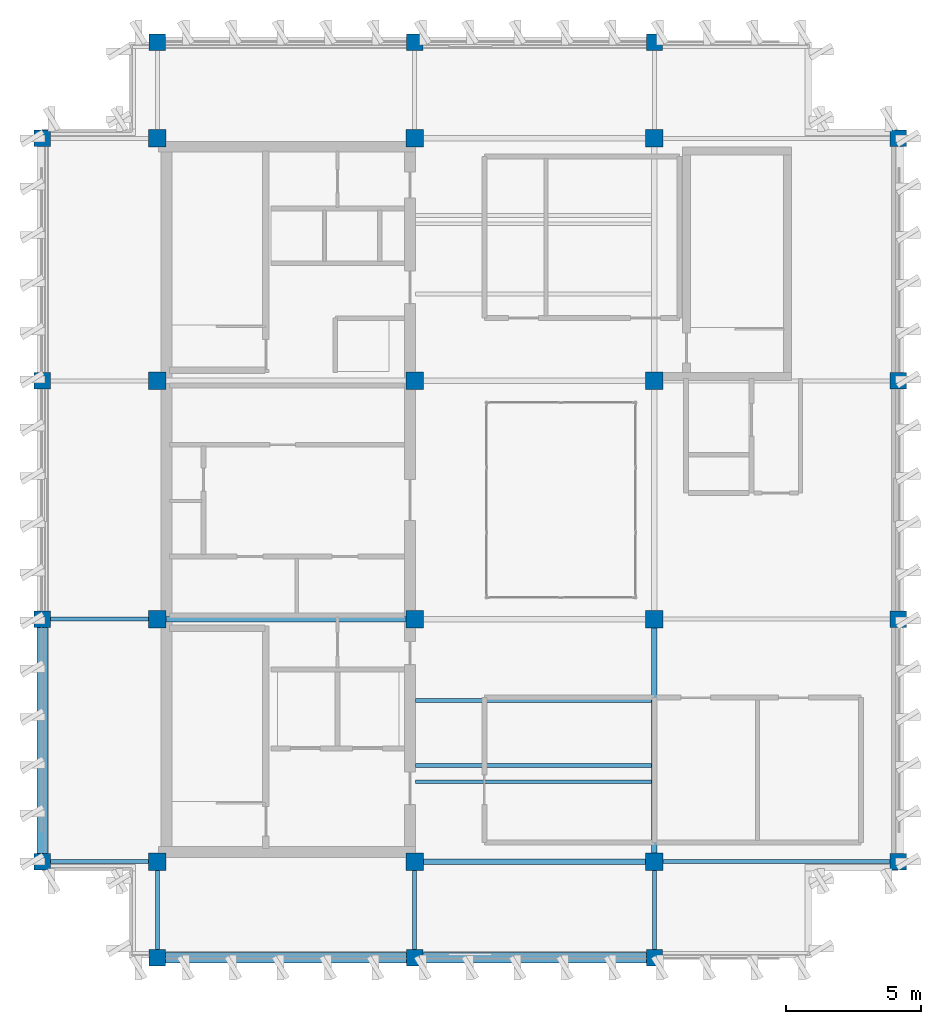
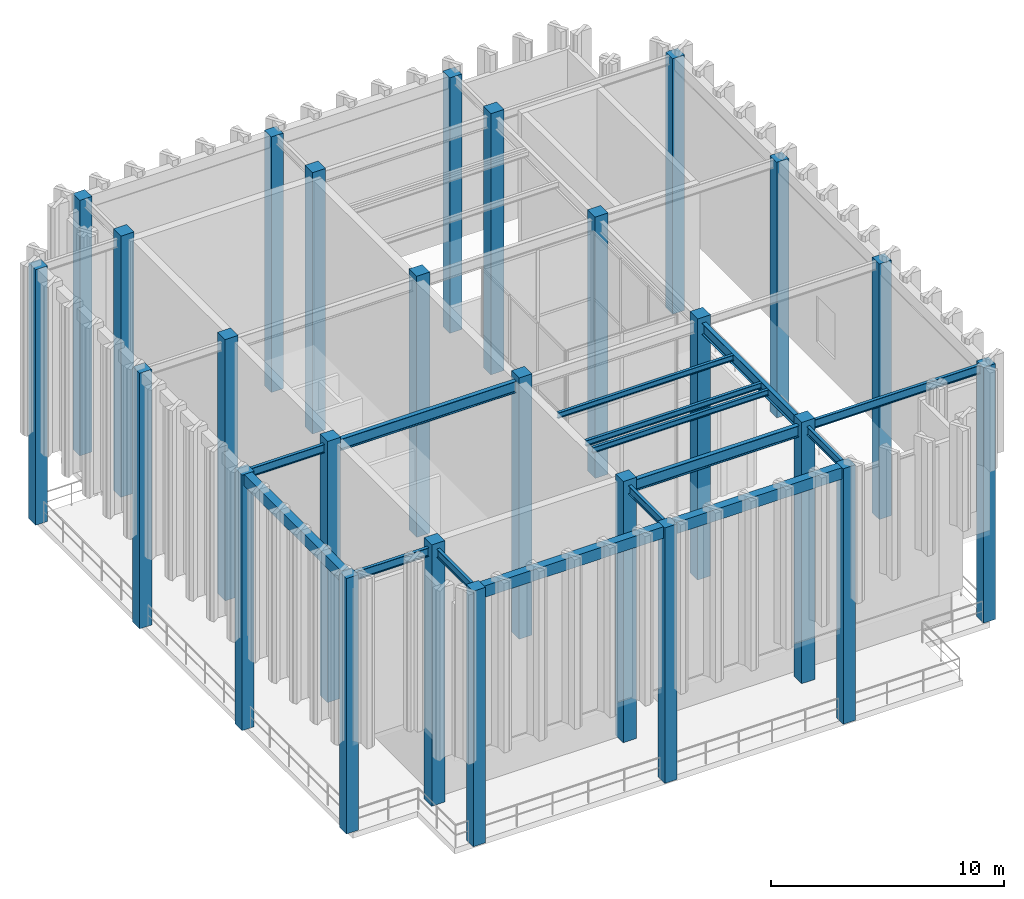
# One storey, part 1 of 15: 26 columns, 15 beams.
"""IFC4 building model written with IfcOpenShell, lengths in metres."""

from ifc_helpers import new_model, si_unit, direction, frame, origin, origin_2d, place, context, subcontext, project, spatial, rectangle, i_section, extrude, material, material_profile, profile_set, type_object, element, save


model = new_model("IFC4")

# Units and contexts
model_context = context("Model", 3, precision=1e-05, world=origin(), true_north=direction((0.0, 1.0)))
body_context = subcontext(model_context, "Body", "Model", "MODEL_VIEW")
ifc_project = project(units=[si_unit("LENGTHUNIT", "METRE"), si_unit("AREAUNIT", "SQUARE_METRE"), si_unit("VOLUMEUNIT", "CUBIC_METRE"), si_unit("PLANEANGLEUNIT", "RADIAN"), si_unit("MASSUNIT", "GRAM", prefix="KILO")], contexts=[model_context])

# Site, building, storey
site_placement = place(None, origin())
site = spatial("IfcSite", under=ifc_project, at=site_placement, CompositionType="ELEMENT")
building_placement = place(site_placement, origin())
building = spatial("IfcBuilding", under=site, at=building_placement, Name="Kundavana Baori Tower", CompositionType="ELEMENT")
storey_placement = place(building_placement, frame((0.0, 0.0, 354.699951171875)))
storey = spatial("IfcBuildingStorey", under=building, at=storey_placement, Name="L88", CompositionType="ELEMENT", Elevation=354.699951171875)

# Columns
ifc_material_1 = material(Name="Concrete C50/60", Category="concrete")
ifc_material_profile_1 = material_profile(ifc_material_1, rectangle(XDim=0.60009765625, YDim=0.60009765625, at=origin_2d()), Name="RC PF 600x600")
ifc_profile_set_1 = profile_set([ifc_material_profile_1], Name="Concrete C50/60")
column_type_1 = type_object("IfcColumnType", Name="COL-PF-600", PredefinedType="COLUMN", material=ifc_profile_set_1)
for number, where, z_axis, x_axis, name in (
    (1, (15.449951171875, 11.699951171875, 0.0), (0.0, 0.0, 1.0), (1.0, 0.0, 0.0), "L88 Stone-Clad Perimeter Frame Column PF-S1"),
    (2, (15.449951171875, 45.5, 0.0), (0.0, 0.0, 1.0), (1.0, 0.0, 0.0), "L88 Stone-Clad Perimeter Frame Column PF-N1"),
    (3, (24.949951171875, 11.699951171875, 0.0), (0.0, 0.0, 1.0), (1.0, 0.0, 0.0), "L88 Stone-Clad Perimeter Frame Column PF-S2"),
    (4, (24.949951171875, 45.5, 0.0), (0.0, 0.0, 1.0), (1.0, 0.0, 0.0), "L88 Stone-Clad Perimeter Frame Column PF-N2"),
    (5, (33.800048828125, 11.699951171875, 0.0), (0.0, 0.0, 1.0), (1.0, 0.0, 0.0), "L88 Stone-Clad Perimeter Frame Column PF-S3"),
    (6, (33.800048828125, 45.5, 0.0), (0.0, 0.0, 1.0), (1.0, 0.0, 0.0), "L88 Stone-Clad Perimeter Frame Column PF-N3"),
    (7, (11.199951171875, 15.25, 0.0), (0.0, 0.0, 1.0), (1.0, 0.0, 0.0), "L88 Stone-Clad Perimeter Frame Column PF-W1"),
    (8, (42.800048828125, 15.25, 0.0), (0.0, 0.0, 1.0), (1.0, 0.0, 0.0), "L88 Stone-Clad Perimeter Frame Column PF-E1"),
    (9, (11.199951171875, 24.199951171875, 0.0), (0.0, 0.0, 1.0), (1.0, 0.0, 0.0), "L88 Stone-Clad Perimeter Frame Column PF-W2"),
    (10, (42.800048828125, 24.199951171875, 0.0), (0.0, 0.0, 1.0), (1.0, 0.0, 0.0), "L88 Stone-Clad Perimeter Frame Column PF-E2"),
    (11, (11.199951171875, 33.0, 0.0), (0.0, 0.0, 1.0), (1.0, 0.0, 0.0), "L88 Stone-Clad Perimeter Frame Column PF-W3"),
    (12, (42.800048828125, 33.0, 0.0), (0.0, 0.0, 1.0), (1.0, 0.0, 0.0), "L88 Stone-Clad Perimeter Frame Column PF-E3"),
    (13, (11.199951171875, 41.949951171875, 0.0), (0.0, 0.0, 1.0), (1.0, 0.0, 0.0), "L88 Stone-Clad Perimeter Frame Column PF-W4"),
    (14, (42.800048828125, 41.949951171875, 0.0), (0.0, 0.0, 1.0), (1.0, 0.0, 0.0), "L88 Stone-Clad Perimeter Frame Column PF-E4"),
):
    element("IfcColumn", number, at=place(storey_placement, frame(where, z_axis=z_axis, x_axis=x_axis)), inside=storey, type_object=column_type_1, Name=name, PredefinedType="COLUMN", context=body_context, shape_type="SweptSolid", body=[
        extrude(rectangle(XDim=0.60009765625, YDim=0.60009765625, at=origin_2d()), origin(), (0.0, 0.0, 1.0), 13.400146484375),
    ])
ifc_material_2 = material(Name="Concrete C50/60", Category="concrete")
ifc_material_profile_2 = material_profile(ifc_material_2, rectangle(XDim=0.64990234375, YDim=0.64990234375, at=origin_2d()), Name="RC 650x650")
ifc_profile_set_2 = profile_set([ifc_material_profile_2], Name="Concrete C50/60")
column_type_2 = type_object("IfcColumnType", Name="COL-RC-650", PredefinedType="COLUMN", material=ifc_profile_set_2)
for number, where, z_axis, x_axis, name in (
    (15, (15.449951171875, 15.25, 0.0), (0.0, 0.0, 1.0), (1.0, 0.0, 0.0), "L88 Interior Column IC-3C"),
    (16, (15.449951171875, 24.199951171875, 0.0), (0.0, 0.0, 1.0), (1.0, 0.0, 0.0), "L88 Interior Column IC-3D"),
    (17, (15.449951171875, 33.0, 0.0), (0.0, 0.0, 1.0), (1.0, 0.0, 0.0), "L88 Interior Column IC-3E"),
    (18, (15.449951171875, 41.949951171875, 0.0), (0.0, 0.0, 1.0), (1.0, 0.0, 0.0), "L88 Interior Column IC-3F"),
    (19, (24.949951171875, 15.25, 0.0), (0.0, 0.0, 1.0), (1.0, 0.0, 0.0), "L88 Interior Column IC-4C"),
    (20, (24.949951171875, 24.199951171875, 0.0), (0.0, 0.0, 1.0), (1.0, 0.0, 0.0), "L88 Interior Column IC-4D"),
    (21, (24.949951171875, 33.0, 0.0), (0.0, 0.0, 1.0), (1.0, 0.0, 0.0), "L88 Interior Column IC-4E"),
    (22, (24.949951171875, 41.949951171875, 0.0), (0.0, 0.0, 1.0), (1.0, 0.0, 0.0), "L88 Interior Column IC-4F"),
    (23, (33.800048828125, 15.25, 0.0), (0.0, 0.0, 1.0), (1.0, 0.0, 0.0), "L88 Interior Column IC-5C"),
    (24, (33.800048828125, 24.199951171875, 0.0), (0.0, 0.0, 1.0), (1.0, 0.0, 0.0), "L88 Interior Column IC-5D"),
    (25, (33.800048828125, 33.0, 0.0), (0.0, 0.0, 1.0), (1.0, 0.0, 0.0), "L88 Interior Column IC-5E"),
    (26, (33.800048828125, 41.949951171875, 0.0), (0.0, 0.0, 1.0), (1.0, 0.0, 0.0), "L88 Interior Column IC-5F"),
):
    element("IfcColumn", number, at=place(storey_placement, frame(where, z_axis=z_axis, x_axis=x_axis)), inside=storey, type_object=column_type_2, Name=name, PredefinedType="COLUMN", context=body_context, shape_type="SweptSolid", body=[
        extrude(rectangle(XDim=0.64990234375, YDim=0.64990234375, at=origin_2d()), origin(), (0.0, 0.0, 1.0), 13.699951171875),
    ])

# Beams
ifc_material_3 = material(Name="Concrete C50/60", Category="concrete")
ifc_material_profile_3 = material_profile(ifc_material_3, rectangle(XDim=0.39990234375, YDim=0.60009765625, at=origin_2d()), Name="RC BM 400x600")
ifc_profile_set_3 = profile_set([ifc_material_profile_3], Name="Concrete C50/60")
beam_type_1 = type_object("IfcBeamType", Name="BM-PF-600", PredefinedType="SPANDREL", material=ifc_profile_set_3)
beam_1_placement = place(storey_placement, frame((15.449951171875, 11.699951171875, 13.10009765625), z_axis=(1.0, 0.0, 0.0), x_axis=(0.0, 1.0, 0.0)))
element("IfcBeam", 27, at=beam_1_placement, inside=storey, type_object=beam_type_1, Name="L88 Perimeter Frame Ring Beam S1", PredefinedType="SPANDREL", context=body_context, shape_type="SweptSolid", body=[
    extrude(rectangle(XDim=0.39990234375, YDim=0.60009765625, at=origin_2d()), origin(), (0.0, 0.0, 1.0), 9.5),
])
beam_2_placement = place(storey_placement, frame((24.949951171875, 11.699951171875, 13.10009765625), z_axis=(1.0, 0.0, 0.0), x_axis=(0.0, 1.0, 0.0)))
element("IfcBeam", 28, at=beam_2_placement, inside=storey, type_object=beam_type_1, Name="L88 Perimeter Frame Ring Beam S2", PredefinedType="SPANDREL", context=body_context, shape_type="SweptSolid", body=[
    extrude(rectangle(XDim=0.39990234375, YDim=0.60009765625, at=origin_2d()), origin(), (0.0, 0.0, 1.0), 8.85009765625),
])
beam_3_placement = place(storey_placement, frame((11.199951171875, 15.25, 13.10009765625), z_axis=(0.0, 1.0, 0.0), x_axis=(-1.0, 0.0, 0.0)))
element("IfcBeam", 29, at=beam_3_placement, inside=storey, type_object=beam_type_1, Name="L88 Perimeter Frame Ring Beam W1", PredefinedType="SPANDREL", context=body_context, shape_type="SweptSolid", body=[
    extrude(rectangle(XDim=0.39990234375, YDim=0.60009765625, at=origin_2d()), origin(), (0.0, 0.0, 1.0), 8.949951171875),
])
ifc_material_4 = material(Name="Structural Steel S355JR", Category="steel")
ifc_material_profile_4 = material_profile(ifc_material_4, i_section(OverallWidth=0.139892578125, OverallDepth=0.300048828125, WebThickness=0.0078125, FlangeThickness=0.01318359375, FilletRadius=0.013916015625, at=origin_2d()), Name="ISMB 300")
ifc_profile_set_4 = profile_set([ifc_material_profile_4], Name="Structural Steel S355JR")
beam_type_2 = type_object("IfcBeamType", Name="BM-RF-300", PredefinedType="BEAM", material=ifc_profile_set_4)
for number, where, z_axis, x_axis, name in (
    (30, (24.97998046875, 18.199951171875, 13.25), (1.0, 0.0, 0.0), (0.0, 1.0, 0.0), "L88 Central Bay Composite Floor Joist C1"),
    (31, (24.97998046875, 21.199951171875, 13.25), (1.0, 0.0, 0.0), (0.0, 1.0, 0.0), "L88 Central Bay Composite Floor Joist C2"),
    (32, (24.97998046875, 18.800048828125, 13.25), (1.0, 0.0, 0.0), (0.0, 1.0, 0.0), "L88 Crown Plant Secondary Beam 1"),
):
    element("IfcBeam", number, at=place(storey_placement, frame(where, z_axis=z_axis, x_axis=x_axis)), inside=storey, type_object=beam_type_2, Name=name, PredefinedType="BEAM", context=body_context, shape_type="SweptSolid", body=[
        extrude(i_section(OverallWidth=0.139892578125, OverallDepth=0.300048828125, WebThickness=0.0078125, FlangeThickness=0.01318359375, FilletRadius=0.013916015625, at=origin_2d()), origin(), (0.0, 0.0, 1.0), 8.715087890625),
    ])
ifc_material_5 = material(Name="Structural Steel S355JR", Category="steel")
ifc_material_profile_5 = material_profile(ifc_material_5, i_section(OverallWidth=0.2099609375, OverallDepth=0.60009765625, WebThickness=0.011962890625, FlangeThickness=0.020751953125, FilletRadius=0.02001953125, at=origin_2d()), Name="ISMB 600")
ifc_profile_set_5 = profile_set([ifc_material_profile_5], Name="Structural Steel S355JR")
beam_type_3 = type_object("IfcBeamType", Name="BM-ST-600", PredefinedType="BEAM", material=ifc_profile_set_5)
beam_4_placement = place(storey_placement, frame((24.949951171875, 15.25, 13.10009765625), z_axis=(1.0, 0.0, 0.0), x_axis=(0.0, 1.0, 0.0)))
element("IfcBeam", 33, at=beam_4_placement, inside=storey, type_object=beam_type_3, Name="L88 Primary Grid Girder GX-1-2", PredefinedType="BEAM", context=body_context, shape_type="SweptSolid", body=[
    extrude(i_section(OverallWidth=0.2099609375, OverallDepth=0.60009765625, WebThickness=0.011962890625, FlangeThickness=0.020751953125, FilletRadius=0.02001953125, at=origin_2d()), origin(), (0.0, 0.0, 1.0), 8.85009765625),
])
beam_5_placement = place(storey_placement, frame((15.449951171875, 24.199951171875, 13.10009765625), z_axis=(1.0, 0.0, 0.0), x_axis=(0.0, 1.0, 0.0)))
element("IfcBeam", 34, at=beam_5_placement, inside=storey, type_object=beam_type_3, Name="L88 Primary Grid Girder GX-2-1", PredefinedType="BEAM", context=body_context, shape_type="SweptSolid", body=[
    extrude(i_section(OverallWidth=0.2099609375, OverallDepth=0.60009765625, WebThickness=0.011962890625, FlangeThickness=0.020751953125, FilletRadius=0.02001953125, at=origin_2d()), origin(), (0.0, 0.0, 1.0), 9.5),
])
beam_6_placement = place(storey_placement, frame((33.800048828125, 15.25, 13.10009765625), z_axis=(0.0, 1.0, 0.0), x_axis=(-1.0, 0.0, 0.0)))
element("IfcBeam", 35, at=beam_6_placement, inside=storey, type_object=beam_type_3, Name="L88 Primary Grid Girder GY-3-1", PredefinedType="BEAM", context=body_context, shape_type="SweptSolid", body=[
    extrude(i_section(OverallWidth=0.2099609375, OverallDepth=0.60009765625, WebThickness=0.011962890625, FlangeThickness=0.020751953125, FilletRadius=0.02001953125, at=origin_2d()), origin(), (0.0, 0.0, 1.0), 8.949951171875),
])
ifc_material_6 = material(Name="Structural Steel S355JR", Category="steel")
ifc_material_profile_6 = material_profile(ifc_material_6, i_section(OverallWidth=0.14990234375, OverallDepth=0.449951171875, WebThickness=0.009521484375, FlangeThickness=0.017333984375, FilletRadius=0.014892578125, at=origin_2d()), Name="ISMB 450")
ifc_profile_set_6 = profile_set([ifc_material_profile_6], Name="Structural Steel S355JR")
beam_type_4 = type_object("IfcBeamType", Name="BM-TIE-450", PredefinedType="BEAM", material=ifc_profile_set_6)
for number, where, z_axis, x_axis, name in (
    (36, (15.449951171875, 15.25, 13.175048828125), (0.0, -1.0, 0.0), (1.0, 0.0, 0.0), "L88 South Radial Loggia Tie Beam S1"),
    (37, (24.949951171875, 15.25, 13.175048828125), (0.0, -1.0, 0.0), (1.0, 0.0, 0.0), "L88 South Radial Loggia Tie Beam S2"),
    (38, (33.800048828125, 15.25, 13.175048828125), (0.0, -1.0, 0.0), (1.0, 0.0, 0.0), "L88 South Radial Loggia Tie Beam S3"),
):
    element("IfcBeam", number, at=place(storey_placement, frame(where, z_axis=z_axis, x_axis=x_axis)), inside=storey, type_object=beam_type_4, Name=name, PredefinedType="BEAM", context=body_context, shape_type="SweptSolid", body=[
        extrude(i_section(OverallWidth=0.14990234375, OverallDepth=0.449951171875, WebThickness=0.009521484375, FlangeThickness=0.017333984375, FilletRadius=0.014892578125, at=origin_2d()), origin(), (0.0, 0.0, 1.0), 3.550048828125),
    ])
beam_7_placement = place(storey_placement, frame((15.449951171875, 15.25, 13.175048828125), z_axis=(-1.0, 0.0, 0.0), x_axis=(0.0, -1.0, 0.0)))
element("IfcBeam", 39, at=beam_7_placement, inside=storey, type_object=beam_type_4, Name="L88 West Radial Loggia Tie Beam W1", PredefinedType="BEAM", context=body_context, shape_type="SweptSolid", body=[
    extrude(i_section(OverallWidth=0.14990234375, OverallDepth=0.449951171875, WebThickness=0.009521484375, FlangeThickness=0.017333984375, FilletRadius=0.014892578125, at=origin_2d()), origin(), (0.0, 0.0, 1.0), 4.25),
])
beam_8_placement = place(storey_placement, frame((33.800048828125, 15.25, 13.175048828125), z_axis=(1.0, 0.0, 0.0), x_axis=(0.0, 1.0, 0.0)))
element("IfcBeam", 40, at=beam_8_placement, inside=storey, type_object=beam_type_4, Name="L88 East Radial Loggia Tie Beam E1", PredefinedType="BEAM", context=body_context, shape_type="SweptSolid", body=[
    extrude(i_section(OverallWidth=0.14990234375, OverallDepth=0.449951171875, WebThickness=0.009521484375, FlangeThickness=0.017333984375, FilletRadius=0.014892578125, at=origin_2d()), origin(), (0.0, 0.0, 1.0), 9.0),
])
beam_9_placement = place(storey_placement, frame((15.449951171875, 24.199951171875, 13.175048828125), z_axis=(-1.0, 0.0, 0.0), x_axis=(0.0, -1.0, 0.0)))
element("IfcBeam", 41, at=beam_9_placement, inside=storey, type_object=beam_type_4, Name="L88 West Radial Loggia Tie Beam W2", PredefinedType="BEAM", context=body_context, shape_type="SweptSolid", body=[
    extrude(i_section(OverallWidth=0.14990234375, OverallDepth=0.449951171875, WebThickness=0.009521484375, FlangeThickness=0.017333984375, FilletRadius=0.014892578125, at=origin_2d()), origin(), (0.0, 0.0, 1.0), 4.25),
])

save(model, "model.ifc")
